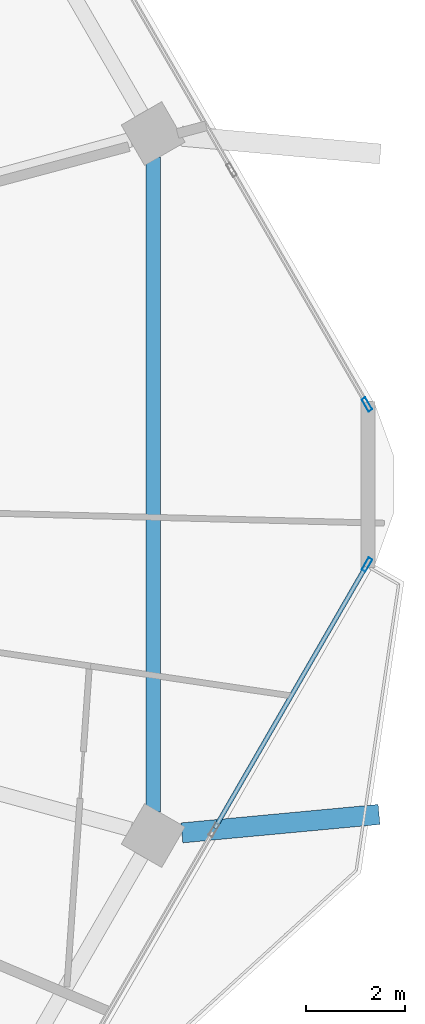
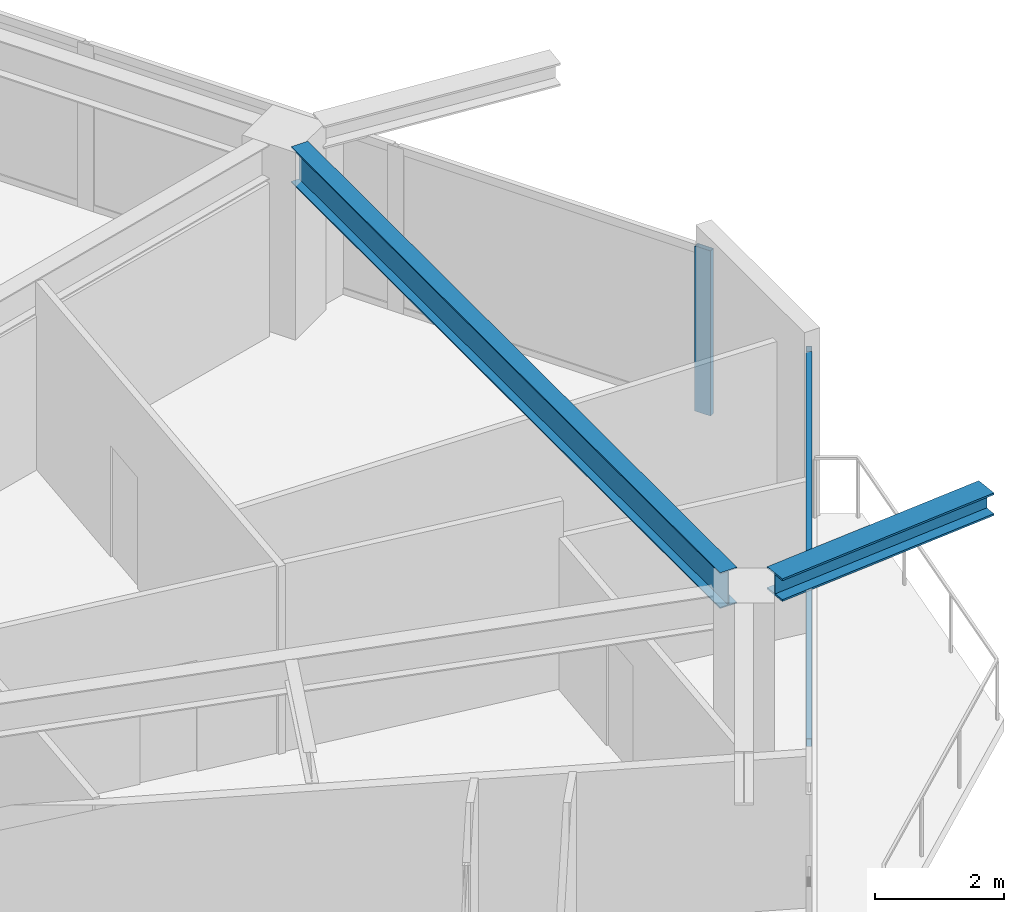
# One storey, part 9 of 27: 4 members, 2 beams, 2 elements without a shape of their own.
"""IFC4 building model written with IfcOpenShell, lengths in metres."""

from ifc_helpers import new_model, si_unit, direction, frame, origin, origin_2d, place, context, subcontext, project, spatial, hollow_rectangle, i_section, extrude, material, material_profile, profile_set, type_object, element, aggregate, save


model = new_model("IFC4")

# Units and contexts
model_context = context("Model", 3, precision=1e-05, world=origin(), true_north=direction((0.0, 1.0)))
body_context = subcontext(model_context, "Body", "Model", "MODEL_VIEW")
ifc_project = project(units=[si_unit("LENGTHUNIT", "METRE"), si_unit("AREAUNIT", "SQUARE_METRE"), si_unit("VOLUMEUNIT", "CUBIC_METRE"), si_unit("PLANEANGLEUNIT", "RADIAN"), si_unit("MASSUNIT", "GRAM", prefix="KILO")], contexts=[model_context])

# Site, building, storey
site_placement = place(None, origin())
site = spatial("IfcSite", under=ifc_project, at=site_placement, CompositionType="ELEMENT")
building_placement = place(site_placement, origin())
building = spatial("IfcBuilding", under=site, at=building_placement, Name="Zuhravey Tower", CompositionType="ELEMENT")
storey_placement = place(building_placement, frame((0.0, 0.0, 188.39990234375)))
storey = spatial("IfcBuildingStorey", under=building, at=storey_placement, Name="L47", CompositionType="ELEMENT", Elevation=188.39990234375)

# Curtain wall, member
ifc_material_1 = material(Name="Thermally broken anodised aluminium", Category="aluminium")
curtain_wall_type = type_object("IfcCurtainWallType", Name="Zone 1-2 Residential Curtain Wall CW3", PredefinedType="NOTDEFINED", material=ifc_material_1)
curtain_wall_1_placement = place(storey_placement, origin())
curtain_wall_1 = element("IfcCurtainWall", 1, at=curtain_wall_1_placement, inside=storey, type_object=curtain_wall_type, Name="L47 CW3 CW-L47-F6-1", PredefinedType="NOTDEFINED")
ifc_material_2 = material(Name="Anodised aluminium", Category="aluminium")
ifc_material_profile_1 = material_profile(ifc_material_2, hollow_rectangle(XDim=0.090087890625, YDim=0.284912109375, WallThickness=0.0048828125, at=origin_2d()), Name="ALU-RHS-90x285x5")
ifc_profile_set_1 = profile_set([ifc_material_profile_1], Name="Anodised aluminium")
member_type_1 = type_object("IfcMemberType", Name="Curtain-Wall Mullion 90x180", PredefinedType="MULLION", material=ifc_profile_set_1)
member_1_placement = place(storey_placement, frame((66.44921875, 30.37353515625, 0.0), z_axis=(0.0, 0.0, 1.0), x_axis=(0.866025776429, -0.499999354559, 0.0)))
member_1 = element("IfcMember", 2, at=member_1_placement, type_object=member_type_1, Name="CW3 mullion 1", PredefinedType="MULLION", context=body_context, shape_type="SweptSolid", body=[
    extrude(hollow_rectangle(XDim=0.090087890625, YDim=0.284912109375, WallThickness=0.0048828125, at=origin_2d()), origin(), (0.0, 0.0, 1.0), 3.1220703125),
])

curtain_wall_2_placement = place(storey_placement, origin())
curtain_wall_2 = element("IfcCurtainWall", 3, at=curtain_wall_2_placement, inside=storey, type_object=curtain_wall_type, Name="L47 CW3 CW-L47-F1-1", PredefinedType="NOTDEFINED")
member_2_placement = place(storey_placement, frame((66.44921875, 33.62646484375, 0.0), z_axis=(0.0, 0.0, 1.0), x_axis=(0.866025138215, 0.500000459979, 0.0)))
member_2 = element("IfcMember", 4, at=member_2_placement, type_object=member_type_1, Name="CW3 mullion 6", PredefinedType="MULLION", context=body_context, shape_type="SweptSolid", body=[
    extrude(hollow_rectangle(XDim=0.090087890625, YDim=0.284912109375, WallThickness=0.0048828125, at=origin_2d()), origin(), (0.0, 0.0, 1.0), 3.1220703125),
])
aggregate(curtain_wall_2, [member_2])

# Member
ifc_material_profile_2 = material_profile(ifc_material_2, hollow_rectangle(XDim=0.090087890625, YDim=0.14990234375, WallThickness=0.0048828125, at=origin_2d()), Name="ALU-RHS-90x150x5")
ifc_profile_set_2 = profile_set([ifc_material_profile_2], Name="Anodised aluminium")
member_type_2 = type_object("IfcMemberType", Name="Curtain-Wall Transom 90x150", PredefinedType="USERDEFINED", material=ifc_profile_set_2)
member_3_placement = place(storey_placement, frame((66.4267578125, 30.33447265625, 0.045166015625), z_axis=(-0.500015484165, -0.866016463813, 0.0), x_axis=(0.866016463813, -0.500015484165, 0.0)))
member_3 = element("IfcMember", 5, at=member_3_placement, type_object=member_type_2, Name="CW3 transom 1.1", ObjectType="TRANSOM", PredefinedType="USERDEFINED", context=body_context, shape_type="SweptSolid", body=[
    extrude(hollow_rectangle(XDim=0.090087890625, YDim=0.14990234375, WallThickness=0.0048828125, at=origin_2d()), origin(), (0.0, 0.0, 1.0), 6.130126953125),
])

member_4_placement = place(storey_placement, frame((66.4267578125, 30.33447265625, 3.0771484375), z_axis=(-0.500015484165, -0.866016463813, 0.0), x_axis=(0.866016463813, -0.500015484165, 0.0)))
member_4 = element("IfcMember", 6, at=member_4_placement, type_object=member_type_2, Name="CW3 transom 1.2", ObjectType="TRANSOM", PredefinedType="USERDEFINED", context=body_context, shape_type="SweptSolid", body=[
    extrude(hollow_rectangle(XDim=0.090087890625, YDim=0.14990234375, WallThickness=0.0048828125, at=origin_2d()), origin(), (0.0, 0.0, 1.0), 6.130126953125),
])

aggregate(curtain_wall_1, [member_1, member_3, member_4])

# Beams
ifc_material_3 = material(Name="Steel SM460", Category="steel")
ifc_material_profile_3 = material_profile(ifc_material_3, i_section(OverallWidth=0.406982421875, OverallDepth=0.427978515625, WebThickness=0.02001953125, FlangeThickness=0.034912109375, at=origin_2d()), Name="H-428x407x20x35")
ifc_profile_set_3 = profile_set([ifc_material_profile_3], Name="Steel SM460")
beam_type_1 = type_object("IfcBeamType", Name="Exoskeleton Node Tie Beam H428x407", PredefinedType="BEAM", material=ifc_profile_set_3)
beam_1_placement = place(storey_placement, frame((62.69140625, 24.927978515625, 3.336181640625), z_axis=(0.995662575361, 0.0930378204, 0.0), x_axis=(-0.0930378204, 0.995662575361, 0.0)))
element("IfcBeam", 7, at=beam_1_placement, inside=storey, type_object=beam_type_1, Name="L47 Exoskeleton Node Tie NT1-12", PredefinedType="BEAM", context=body_context, shape_type="SweptSolid", body=[
    extrude(i_section(OverallWidth=0.406982421875, OverallDepth=0.427978515625, WebThickness=0.02001953125, FlangeThickness=0.034912109375, at=origin_2d()), origin(), (0.0, 0.0, 1.0), 4.02001953125),
])
ifc_material_4 = material(Name="Steel SM355", Category="steel")
ifc_material_profile_4 = material_profile(ifc_material_4, i_section(OverallWidth=0.300048828125, OverallDepth=0.679931640625, WebThickness=0.012939453125, FlangeThickness=0.02197265625, at=origin_2d()), Name="H-680x300x13x22")
ifc_profile_set_4 = profile_set([ifc_material_profile_4], Name="Steel SM355")
beam_type_2 = type_object("IfcBeamType", Name="Perimeter Ring Beam H680x300", PredefinedType="BEAM", material=ifc_profile_set_4)
beam_2_placement = place(storey_placement, frame((62.107666015625, 25.3515625, 3.210205078125), z_axis=(0.0, 1.0, 0.0), x_axis=(-1.0, 0.0, 0.0)))
element("IfcBeam", 8, at=beam_2_placement, inside=storey, type_object=beam_type_2, Name="L47 PB2 BM-L47-PB-12", PredefinedType="BEAM", context=body_context, shape_type="SweptSolid", body=[
    extrude(i_section(OverallWidth=0.300048828125, OverallDepth=0.679931640625, WebThickness=0.012939453125, FlangeThickness=0.02197265625, at=origin_2d()), origin(), (0.0, 0.0, 1.0), 13.296875),
])

save(model, "model.ifc")
